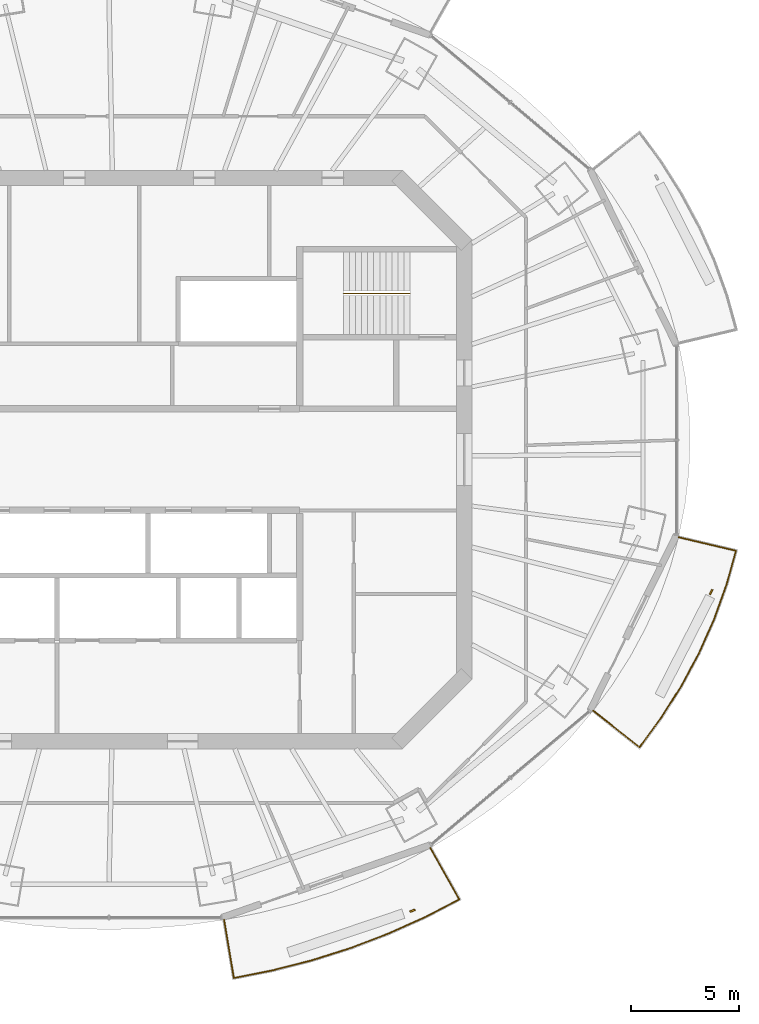
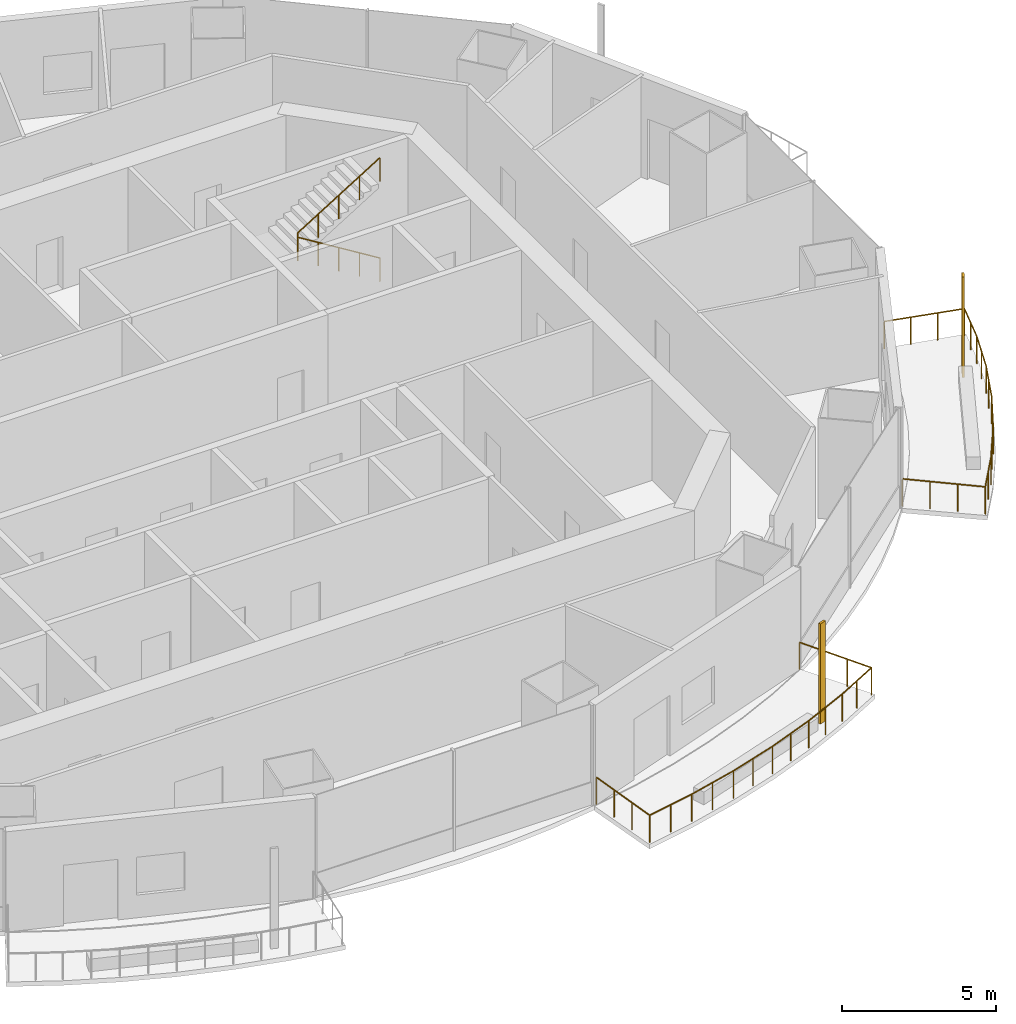
# One storey, part 13 of 16: 3 railings, 2 shading devices.
"""IFC4 building model written with IfcOpenShell, lengths in metres."""

from ifc_helpers import new_model, si_unit, direction, frame, origin, origin_2d, place, context, subcontext, project, spatial, rectangle, circle, extrude, material, material_profile, profile_set, type_object, element, save


model = new_model("IFC4")

# Units and contexts
model_context = context("Model", 3, precision=1e-05, world=origin(), true_north=direction((0.0, 1.0)))
body_context = subcontext(model_context, "Body", "Model", "MODEL_VIEW")
ifc_project = project(units=[si_unit("LENGTHUNIT", "METRE"), si_unit("AREAUNIT", "SQUARE_METRE"), si_unit("VOLUMEUNIT", "CUBIC_METRE"), si_unit("PLANEANGLEUNIT", "RADIAN"), si_unit("MASSUNIT", "GRAM", prefix="KILO")], contexts=[model_context])

# Site, building, storey
site_placement = place(None, origin())
site = spatial("IfcSite", under=ifc_project, at=site_placement, CompositionType="ELEMENT")
building_placement = place(site_placement, origin())
building = spatial("IfcBuilding", under=site, at=building_placement, Name="Marenthal Gate Tower", CompositionType="ELEMENT")
storey_placement = place(building_placement, frame((0.0, 0.0, 350.89990234375)))
storey = spatial("IfcBuildingStorey", under=building, at=storey_placement, Name="L79", CompositionType="ELEMENT", Elevation=350.89990234375)

# Railings
ifc_material_1 = material(Name="Stainless steel", Category="steel")
railing_type_1 = type_object("IfcRailingType", Name="Balcony guard 1100", PredefinedType="GUARDRAIL", material=ifc_material_1)
railing_1_placement = place(storey_placement, frame((14.4345703125, -17.92724609375, 0.0)))
element("IfcRailing", 1, at=railing_1_placement, inside=storey, type_object=railing_type_1, Name="Balcony guard L79 bay 13", PredefinedType="GUARDRAIL", context=body_context, shape_type="SweptSolid", body=[
    extrude(circle(Radius=0.02392578125, at=origin_2d()), frame((0.0, 0.0, 1.076171875), z_axis=(0.490779686418, -0.871160869856, -0.014630045517), x_axis=(0.871254115691, 0.490832217659, 0.0)), (0.0, 0.0, 1.0), 2.719970703125),
    extrude(circle(Radius=0.02392578125, at=origin_2d()), frame((1.3349609375, -2.36962890625, 1.0361328125), z_axis=(-0.886466510694, -0.462792745642, 0.0), x_axis=(0.462792745642, -0.886466510694, 0.0)), (0.0, 0.0, 1.0), 1.76611328125),
    extrude(circle(Radius=0.02392578125, at=origin_2d()), frame((-0.230712890625, -3.18701171875, 1.0361328125), z_axis=(-0.911823143893, -0.410583187992, 0.0), x_axis=(0.410583187992, -0.911823143893, 0.0)), (0.0, 0.0, 1.0), 1.858154296875),
    extrude(circle(Radius=0.02392578125, at=origin_2d()), frame((-1.925048828125, -3.949951171875, 1.0361328125), z_axis=(-0.934241329818, -0.35664146935, 0.0), x_axis=(0.35664146935, -0.934241329818, 0.0)), (0.0, 0.0, 1.0), 1.86962890625),
    extrude(circle(Radius=0.02392578125, at=origin_2d()), frame((-3.671630859375, -4.61669921875, 1.0361328125), z_axis=(-0.953244331297, -0.302200669837, 0.0), x_axis=(0.302200669837, -0.953244331297, 0.0)), (0.0, 0.0, 1.0), 1.879150390625),
    extrude(circle(Radius=0.02392578125, at=origin_2d()), frame((-5.462890625, -5.1845703125, 1.0361328125), z_axis=(-0.968851065423, -0.247644125772, 0.0), x_axis=(0.247644125772, -0.968851065423, 0.0)), (0.0, 0.0, 1.0), 1.887939453125),
    extrude(circle(Radius=0.02392578125, at=origin_2d()), frame((-7.2919921875, -5.652099609375, 1.0361328125), z_axis=(-0.98102320938, -0.193890336678, 0.0), x_axis=(0.193890336678, -0.98102320938, 0.0)), (0.0, 0.0, 1.0), 1.814453125),
    extrude(circle(Radius=0.02392578125, at=origin_2d()), frame((-9.072021484375, -6.00390625, 1.0361328125), z_axis=(-0.165400035749, 0.986118064464, 0.014628435066), x_axis=(-0.986223591651, -0.165417735658, 0.0)), (0.0, 0.0, 1.0), 2.720458984375),
    extrude(circle(Radius=0.02099609375, at=origin_2d()), origin(), (0.0, 0.0, 1.0), 1.052001953125),
    extrude(circle(Radius=0.02099609375, at=origin_2d()), frame((0.445068359375, -0.789794921875, -0.01318359375)), (0.0, 0.0, 1.0), 1.052001953125),
    extrude(circle(Radius=0.02099609375, at=origin_2d()), frame((0.889892578125, -1.579833984375, -0.026611328125)), (0.0, 0.0, 1.0), 1.052001953125),
    extrude(circle(Radius=0.02099609375, at=origin_2d()), frame((1.3349609375, -2.36962890625, -0.039794921875)), (0.0, 0.0, 1.0), 1.052001953125),
    extrude(circle(Radius=0.02099609375, at=origin_2d()), frame((0.55224609375, -2.7783203125, -0.039794921875)), (0.0, 0.0, 1.0), 1.052001953125),
    extrude(circle(Radius=0.02099609375, at=origin_2d()), frame((-0.230712890625, -3.18701171875, -0.039794921875)), (0.0, 0.0, 1.0), 1.052001953125),
    extrude(circle(Radius=0.02099609375, at=origin_2d()), frame((-1.077880859375, -3.568359375, -0.039794921875)), (0.0, 0.0, 1.0), 1.052001953125),
    extrude(circle(Radius=0.02099609375, at=origin_2d()), frame((-1.925048828125, -3.949951171875, -0.039794921875)), (0.0, 0.0, 1.0), 1.052001953125),
    extrude(circle(Radius=0.02099609375, at=origin_2d()), frame((-2.79833984375, -4.283203125, -0.039794921875)), (0.0, 0.0, 1.0), 1.052001953125),
    extrude(circle(Radius=0.02099609375, at=origin_2d()), frame((-3.671630859375, -4.61669921875, -0.039794921875)), (0.0, 0.0, 1.0), 1.052001953125),
    extrude(circle(Radius=0.02099609375, at=origin_2d()), frame((-4.5673828125, -4.900634765625, -0.039794921875)), (0.0, 0.0, 1.0), 1.052001953125),
    extrude(circle(Radius=0.02099609375, at=origin_2d()), frame((-5.462890625, -5.1845703125, -0.039794921875)), (0.0, 0.0, 1.0), 1.052001953125),
    extrude(circle(Radius=0.02099609375, at=origin_2d()), frame((-6.37744140625, -5.41845703125, -0.039794921875)), (0.0, 0.0, 1.0), 1.052001953125),
    extrude(circle(Radius=0.02099609375, at=origin_2d()), frame((-7.2919921875, -5.652099609375, -0.039794921875)), (0.0, 0.0, 1.0), 1.052001953125),
    extrude(circle(Radius=0.02099609375, at=origin_2d()), frame((-8.18212890625, -5.828125, -0.039794921875)), (0.0, 0.0, 1.0), 1.052001953125),
    extrude(circle(Radius=0.02099609375, at=origin_2d()), frame((-9.072021484375, -6.00390625, -0.039794921875)), (0.0, 0.0, 1.0), 1.052001953125),
    extrude(circle(Radius=0.02099609375, at=origin_2d()), frame((-9.221923828125, -5.109619140625, -0.026611328125)), (0.0, 0.0, 1.0), 1.052001953125),
    extrude(circle(Radius=0.02099609375, at=origin_2d()), frame((-9.3720703125, -4.215576171875, -0.01318359375)), (0.0, 0.0, 1.0), 1.052001953125),
    extrude(circle(Radius=0.02099609375, at=origin_2d()), frame((-9.52197265625, -3.3212890625, 0.0)), (0.0, 0.0, 1.0), 1.052001953125),
])
railing_2_placement = place(storey_placement, frame((25.89306640625, -3.586181640625, 0.0)))
element("IfcRailing", 2, at=railing_2_placement, inside=storey, type_object=railing_type_1, Name="Balcony guard L79 bay 15", PredefinedType="GUARDRAIL", context=body_context, shape_type="SweptSolid", body=[
    extrude(circle(Radius=0.02392578125, at=origin_2d()), frame((0.0, 0.0, 1.076171875), z_axis=(0.973183391678, -0.229565023599, -0.014628263818), x_axis=(0.229589589404, 0.973287532252, 0.0)), (0.0, 0.0, 1.0), 2.720458984375),
    extrude(circle(Radius=0.02392578125, at=origin_2d()), frame((2.6474609375, -0.62451171875, 1.0361328125), z_axis=(-0.268568220157, -0.963260666238, 0.0), x_axis=(0.963260666238, -0.268568220157, 0.0)), (0.0, 0.0, 1.0), 1.620849609375),
    extrude(circle(Radius=0.02392578125, at=origin_2d()), frame((2.212158203125, -2.185791015625, 1.0361328125), z_axis=(-0.338780209169, -0.940865542931, 0.0), x_axis=(0.940865542931, -0.338780209169, 0.0)), (0.0, 0.0, 1.0), 1.7080078125),
    extrude(circle(Radius=0.02392578125, at=origin_2d()), frame((1.633544921875, -3.792724609375, 1.0361328125), z_axis=(-0.40799807197, -0.912982789142, 0.0), x_axis=(0.912982789142, -0.40799807197, 0.0)), (0.0, 0.0, 1.0), 1.716796875),
    extrude(circle(Radius=0.02392578125, at=origin_2d()), frame((0.93310546875, -5.360107421875, 1.0361328125), z_axis=(-0.473593920811, -0.880743321389, 0.0), x_axis=(0.880743321389, -0.473593920811, 0.0)), (0.0, 0.0, 1.0), 1.72705078125),
    extrude(circle(Radius=0.02392578125, at=origin_2d()), frame((0.115234375, -6.881103515625, 1.0361328125), z_axis=(-0.535757035565, -0.84437219213, 0.0), x_axis=(0.84437219213, -0.535757035565, 0.0)), (0.0, 0.0, 1.0), 1.738037109375),
    extrude(circle(Radius=0.02392578125, at=origin_2d()), frame((-0.81591796875, -8.3486328125, 1.0361328125), z_axis=(-0.592560650715, -0.805525837714, 0.0), x_axis=(0.805525837714, -0.592560650715, 0.0)), (0.0, 0.0, 1.0), 1.670166015625),
    extrude(circle(Radius=0.02392578125, at=origin_2d()), frame((-1.8056640625, -9.694091796875, 1.0361328125), z_axis=(-0.783692504104, 0.620976687574, 0.014629166075), x_axis=(-0.621043146628, -0.783776377563, 0.0)), (0.0, 0.0, 1.0), 2.72021484375),
    extrude(circle(Radius=0.02099609375, at=origin_2d()), origin(), (0.0, 0.0, 1.0), 1.052001953125),
    extrude(circle(Radius=0.02099609375, at=origin_2d()), frame((0.882568359375, -0.208251953125, -0.01318359375)), (0.0, 0.0, 1.0), 1.052001953125),
    extrude(circle(Radius=0.02099609375, at=origin_2d()), frame((1.764892578125, -0.416259765625, -0.026611328125)), (0.0, 0.0, 1.0), 1.052001953125),
    extrude(circle(Radius=0.02099609375, at=origin_2d()), frame((2.6474609375, -0.62451171875, -0.039794921875)), (0.0, 0.0, 1.0), 1.052001953125),
    extrude(circle(Radius=0.02099609375, at=origin_2d()), frame((2.4296875, -1.4052734375, -0.039794921875)), (0.0, 0.0, 1.0), 1.052001953125),
    extrude(circle(Radius=0.02099609375, at=origin_2d()), frame((2.212158203125, -2.185791015625, -0.039794921875)), (0.0, 0.0, 1.0), 1.052001953125),
    extrude(circle(Radius=0.02099609375, at=origin_2d()), frame((1.9228515625, -2.9892578125, -0.039794921875)), (0.0, 0.0, 1.0), 1.052001953125),
    extrude(circle(Radius=0.02099609375, at=origin_2d()), frame((1.633544921875, -3.792724609375, -0.039794921875)), (0.0, 0.0, 1.0), 1.052001953125),
    extrude(circle(Radius=0.02099609375, at=origin_2d()), frame((1.283203125, -4.576416015625, -0.039794921875)), (0.0, 0.0, 1.0), 1.052001953125),
    extrude(circle(Radius=0.02099609375, at=origin_2d()), frame((0.93310546875, -5.360107421875, -0.039794921875)), (0.0, 0.0, 1.0), 1.052001953125),
    extrude(circle(Radius=0.02099609375, at=origin_2d()), frame((0.524169921875, -6.12060546875, -0.039794921875)), (0.0, 0.0, 1.0), 1.052001953125),
    extrude(circle(Radius=0.02099609375, at=origin_2d()), frame((0.115234375, -6.881103515625, -0.039794921875)), (0.0, 0.0, 1.0), 1.052001953125),
    extrude(circle(Radius=0.02099609375, at=origin_2d()), frame((-0.350341796875, -7.61474609375, -0.039794921875)), (0.0, 0.0, 1.0), 1.052001953125),
    extrude(circle(Radius=0.02099609375, at=origin_2d()), frame((-0.81591796875, -8.3486328125, -0.039794921875)), (0.0, 0.0, 1.0), 1.052001953125),
    extrude(circle(Radius=0.02099609375, at=origin_2d()), frame((-1.310791015625, -9.021484375, -0.039794921875)), (0.0, 0.0, 1.0), 1.052001953125),
    extrude(circle(Radius=0.02099609375, at=origin_2d()), frame((-1.8056640625, -9.694091796875, -0.039794921875)), (0.0, 0.0, 1.0), 1.052001953125),
    extrude(circle(Radius=0.02099609375, at=origin_2d()), frame((-2.516357421875, -9.131103515625, -0.026611328125)), (0.0, 0.0, 1.0), 1.052001953125),
    extrude(circle(Radius=0.02099609375, at=origin_2d()), frame((-3.226806640625, -8.56787109375, -0.01318359375)), (0.0, 0.0, 1.0), 1.052001953125),
    extrude(circle(Radius=0.02099609375, at=origin_2d()), frame((-3.9375, -8.0048828125, 0.0)), (0.0, 0.0, 1.0), 1.052001953125),
])
ifc_material_2 = material(Name="Stainless steel", Category="steel")
railing_type_2 = type_object("IfcRailingType", Name="Stair handrail", PredefinedType="HANDRAIL", material=ifc_material_2)
railing_3_placement = place(storey_placement, frame((13.5, 7.675048828125, 0.173095703125)))
element("IfcRailing", 3, at=railing_3_placement, inside=storey, type_object=railing_type_2, Name="Handrail ST3", PredefinedType="HANDRAIL", context=body_context, shape_type="SweptSolid", body=[
    extrude(circle(Radius=0.0224609375, at=origin_2d()), frame((0.0, 0.0, 0.927490234375), z_axis=(-0.850835241893, 0.0, 0.525432575268), x_axis=(0.0, -1.0, 0.0)), (0.0, 0.0, 1.0), 3.6201171875),
    extrude(circle(Radius=0.0224609375, at=origin_2d()), frame((-3.080078125, 0.0, 2.82958984375), z_axis=(0.0, 0.0, 1.0), x_axis=(1.0, 0.0, 0.0)), (0.0, 0.0, 1.0), 0.1728515625),
    extrude(circle(Radius=0.0224609375, at=origin_2d()), frame((-3.080078125, 0.0, 3.00244140625), z_axis=(0.850835241893, 0.0, 0.525432575268), x_axis=(0.0, 1.0, 0.0)), (0.0, 0.0, 1.0), 3.6201171875),
    extrude(circle(Radius=0.02001953125, at=origin_2d()), origin(), (0.0, 0.0, 1.0), 0.905029296875),
    extrude(circle(Radius=0.02001953125, at=origin_2d()), frame((-0.77001953125, 0.0, 0.4755859375)), (0.0, 0.0, 1.0), 0.905029296875),
    extrude(circle(Radius=0.02001953125, at=origin_2d()), frame((-1.5400390625, 0.0, 0.951171875)), (0.0, 0.0, 1.0), 0.905029296875),
    extrude(circle(Radius=0.02001953125, at=origin_2d()), frame((-2.31005859375, 0.0, 1.426513671875)), (0.0, 0.0, 1.0), 0.905029296875),
    extrude(circle(Radius=0.02001953125, at=origin_2d()), frame((-3.080078125, 0.0, 1.902099609375)), (0.0, 0.0, 1.0), 0.905029296875),
    extrude(circle(Radius=0.02001953125, at=origin_2d()), frame((-3.080078125, 0.0, 2.074951171875)), (0.0, 0.0, 1.0), 0.905029296875),
    extrude(circle(Radius=0.02001953125, at=origin_2d()), frame((-2.31005859375, 0.0, 2.550537109375)), (0.0, 0.0, 1.0), 0.905029296875),
    extrude(circle(Radius=0.02001953125, at=origin_2d()), frame((-1.5400390625, 0.0, 3.02587890625)), (0.0, 0.0, 1.0), 0.905029296875),
    extrude(circle(Radius=0.02001953125, at=origin_2d()), frame((-0.77001953125, 0.0, 3.50146484375)), (0.0, 0.0, 1.0), 0.905029296875),
    extrude(circle(Radius=0.02001953125, at=origin_2d()), frame((0.0, 0.0, 3.97705078125)), (0.0, 0.0, 1.0), 0.905029296875),
])

# Shading devices
ifc_material_3 = material(Name="Terracotta", Category="masonry")
ifc_material_profile = material_profile(ifc_material_3, rectangle(XDim=0.25, YDim=0.080078125, at=origin_2d()), Name="Terracotta baguette 250x80")
ifc_profile_set = profile_set([ifc_material_profile], Name="Terracotta")
shading_device_type = type_object("IfcShadingDeviceType", Name="Terracotta BAGUETTE SCREEN 250x80", PredefinedType="USERDEFINED", material=ifc_profile_set)
for number, where, z_axis, x_axis, name in (
    (4, (13.610595703125, -20.825439453125, -0.039794921875), (0.0, 0.0, 1.0), (0.944152186109, 0.32950971073, 0.0), "Terracotta BAGUETTE L79 bay 13R"),
    (5, (27.395751953125, -6.114990234375, -0.039794921875), (0.0, 0.0, 1.0), (0.441181376026, 0.897417959174, 0.0), "Terracotta BAGUETTE L79 bay 15R"),
):
    element("IfcShadingDevice", number, at=place(storey_placement, frame(where, z_axis=z_axis, x_axis=x_axis)), inside=storey, type_object=shading_device_type, Name=name, ObjectType="BAGUETTE SCREEN", PredefinedType="USERDEFINED", context=body_context, shape_type="SweptSolid", body=[
        extrude(rectangle(XDim=0.25, YDim=0.080078125, at=origin_2d()), origin(), (0.0, 0.0, 1.0), 3.969970703125),
    ])

save(model, "model.ifc")
